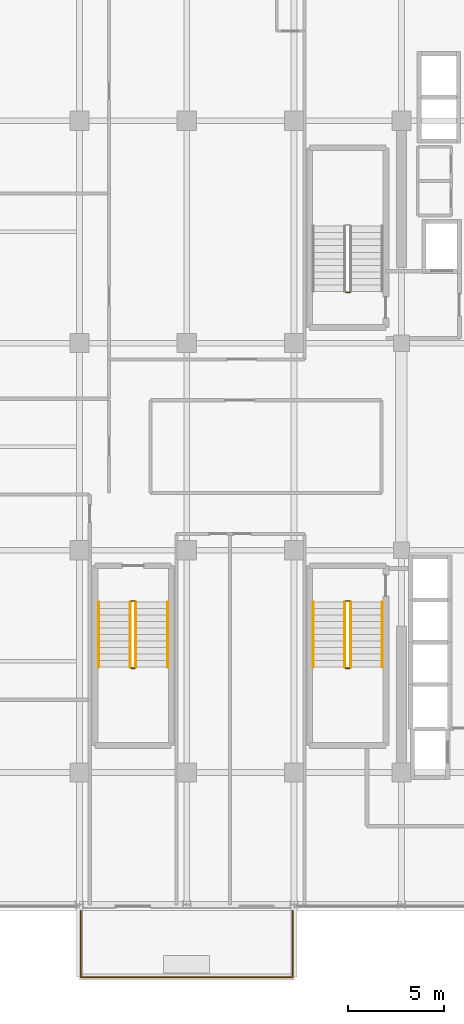
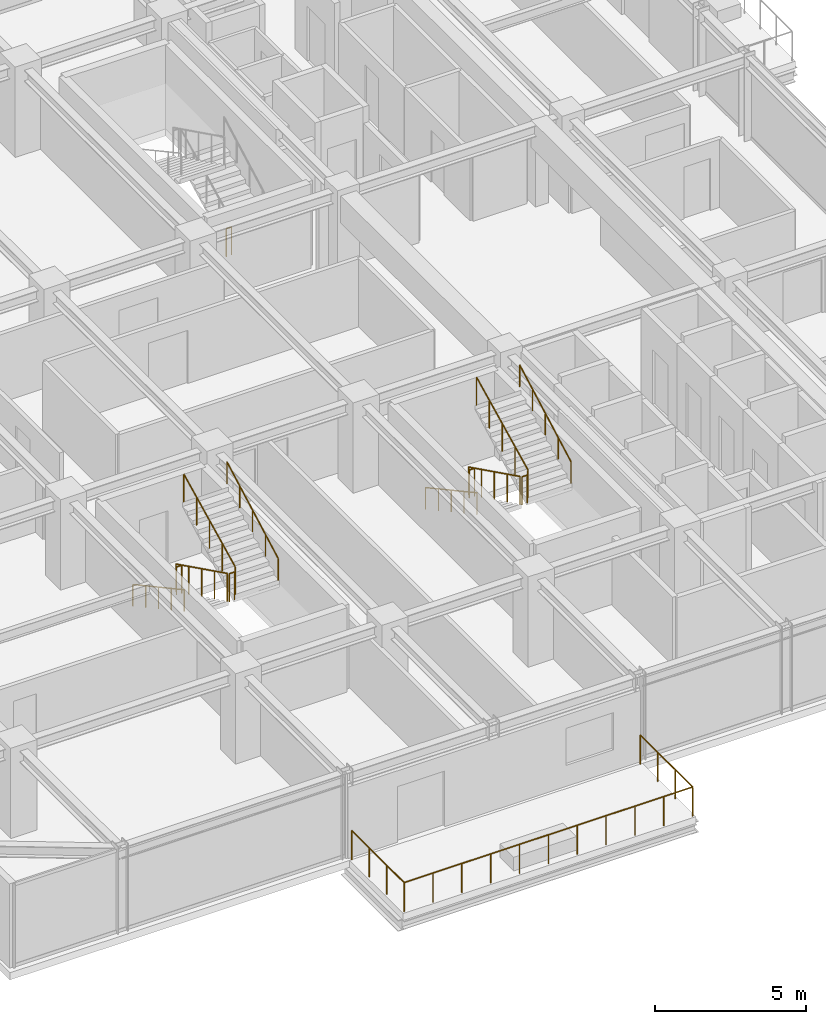
# One storey, part 34 of 36: 14 railings.
"""IFC4 building model written with IfcOpenShell, lengths in metres."""

import ifcopenshell
import ifcopenshell.guid

model = None  # the IFC model being written
_history = None  # IfcOwnerHistory: only IFC2X3 demands one
_inside = {}  # id of a spatial element -> (the spatial element, [elements in it])
_under = {}  # id of a project, library or spatial element -> (it, [spatial elements below it])
_declared = {}  # id of a project -> (the project, [libraries it declares])
_typed = {}  # id of a type object -> (the type object, [elements of that type])
_made_of = {}  # id of a material, layer set ... -> (it, [elements and type objects made of it])


def new_model(schema):
    """Start an empty IFC model of exactly this schema.

    Asked for "IFC4X3", IfcOpenShell would pick the latest addendum, in which some entities
    have other attributes; the version numbers below select the first issue.
    IFC2X3 requires an IfcOwnerHistory on every rooted entity: one is made here for all.
    """
    global model, _history
    if schema == "IFC4X3":
        model = ifcopenshell.file(schema_version=(4, 3, 0, 0))
    else:
        model = ifcopenshell.file(schema=schema)
    _inside.clear()
    _under.clear()
    _declared.clear()
    _typed.clear()
    _made_of.clear()
    _history = None
    if model.schema == "IFC2X3":
        org = make("IfcOrganization", Name="unknown")
        user = make(
            "IfcPersonAndOrganization",
            ThePerson=make("IfcPerson", FamilyName="unknown"),
            TheOrganization=org,
        )
        app = make(
            "IfcApplication",
            ApplicationDeveloper=org,
            Version="unknown",
            ApplicationFullName="unknown",
            ApplicationIdentifier="unknown",
        )
        _history = make(
            "IfcOwnerHistory",
            OwningUser=user,
            OwningApplication=app,
            ChangeAction="ADDED",
            CreationDate=0,
        )
    return model


def make(cls, **values):
    """One entity of the class cls with the attributes given. An attribute that is None is left unset."""
    return model.create_entity(
        cls, **{name: value for name, value in values.items() if value is not None}
    )


def rooted(cls, **values):
    """An entity with a GlobalId (a new one), such as an element, a storey or a relation."""
    return make(cls, GlobalId=ifcopenshell.guid.new(), OwnerHistory=_history, **values)


def si_unit(unit_type, name, prefix=None):
    """IfcSIUnit, for example si_unit("LENGTHUNIT", "METRE", prefix="MILLI")."""
    return make("IfcSIUnit", UnitType=unit_type, Prefix=prefix, Name=name)


def assignment(units):
    """IfcUnitAssignment: the units of a project."""
    return None if units is None else make("IfcUnitAssignment", Units=units)


def point(xyz):
    """IfcCartesianPoint."""
    return None if xyz is None else make("IfcCartesianPoint", Coordinates=xyz)


def direction(xyz):
    """IfcDirection."""
    return None if xyz is None else make("IfcDirection", DirectionRatios=xyz)


def frame(location, z_axis=None, x_axis=None):
    """IfcAxis2Placement3D, a coordinate frame: its origin and axes. An axis left out is left unset."""
    return make(
        "IfcAxis2Placement3D",
        Location=point(location),
        Axis=direction(z_axis),
        RefDirection=direction(x_axis),
    )


def frame_2d(location, x_axis=None):
    """IfcAxis2Placement2D, a coordinate frame in the plane: its origin and x axis."""
    return make(
        "IfcAxis2Placement2D", Location=point(location), RefDirection=direction(x_axis)
    )


def origin():
    """The frame at (0, 0, 0) with its axes left unset."""
    return frame((0.0, 0.0, 0.0))


def origin_2d():
    """The frame at (0, 0) in the plane with its x axis left unset."""
    return frame_2d((0.0, 0.0))


def place(relative_to, where):
    """IfcLocalPlacement: puts the frame where relative to a parent placement (None: the world)."""
    return make(
        "IfcLocalPlacement", PlacementRelTo=relative_to, RelativePlacement=where
    )


def context(
    kind, dimensions, precision=None, world=None, true_north=None, identifier=None
):
    """IfcGeometricRepresentationContext, for example the 3D "Model" context."""
    return make(
        "IfcGeometricRepresentationContext",
        ContextIdentifier=identifier,
        ContextType=kind,
        CoordinateSpaceDimension=dimensions,
        Precision=precision,
        WorldCoordinateSystem=world,
        TrueNorth=true_north,
    )


def subcontext(parent, identifier, kind, view, scale=None):
    """IfcGeometricRepresentationSubContext, for example "Body" below "Model"."""
    return make(
        "IfcGeometricRepresentationSubContext",
        ContextIdentifier=identifier,
        ContextType=kind,
        ParentContext=parent,
        TargetScale=scale,
        TargetView=view,
    )


def project(units=None, contexts=None):
    """IfcProject with its units and contexts."""
    return rooted(
        "IfcProject",
        Name="project",
        RepresentationContexts=contexts,
        UnitsInContext=assignment(units),
    )


def spatial(cls, under=None, at=None, **own):
    """A site, building, storey or space (cls), placed at a placement, below another one or the project."""
    s = rooted(cls, ObjectPlacement=at, **own)
    if under is not None:
        _under.setdefault(under.id(), (under, []))[1].append(s)
    return s


def profile(cls, at=None, kind="AREA", **sizes):
    """A parametric profile (cls). Its sizes go by their IFC names, for example OverallWidth=200.0."""
    return make(cls, ProfileType=kind, Position=at, **sizes)


def circle(**sizes):
    """IfcCircleProfileDef."""
    return profile("IfcCircleProfileDef", **sizes)


def extrude(swept, where, along, depth):
    """IfcExtrudedAreaSolid: the profile swept, set in the frame where, extruded along a direction by depth."""
    return make(
        "IfcExtrudedAreaSolid",
        SweptArea=swept,
        Position=where,
        ExtrudedDirection=direction(along),
        Depth=depth,
    )


def shape(context_of_items, identifier, shape_type, items):
    """IfcShapeRepresentation: the items that make up one representation, for example the "Body"."""
    return make(
        "IfcShapeRepresentation",
        ContextOfItems=context_of_items,
        RepresentationIdentifier=identifier,
        RepresentationType=shape_type,
        Items=items,
    )


def material(Name=None, Category=None):
    """IfcMaterial."""
    return make("IfcMaterial", Name=Name, Category=Category)


def made_of(thing, what):
    """Note that an element or type object is made of a material, layer set ...; save() writes the relation."""
    if what is not None:
        _made_of.setdefault(what.id(), (what, []))[1].append(thing)
    return thing


def type_object(cls, material=None, **own):
    """A type object (cls), such as IfcWallType, which elements share."""
    return made_of(rooted(cls, **own), material)


def element(
    cls,
    number,
    at=None,
    inside=None,
    cuts=None,
    type_object=None,
    material=None,
    context=None,
    identifier="Body",
    shape_type=None,
    held_by="IfcProductDefinitionShape",
    body=None,
    shapes=None,
    **own,
):
    """One element of the class cls, such as IfcWall. Its Tag is "e" and its number.

    at: its placement. inside: the storey or other place that contains it. cuts: it is an
    opening in that element (IfcRelVoidsElement). A single representation is given by context,
    identifier, shape_type and body (its items); several are given by shapes. held_by: the class
    of the entity that holds the representations. save() writes the other relations.
    """
    e = rooted(cls, Tag="e%d" % number, ObjectPlacement=at, **own)
    if body is not None:
        shapes = [shape(context, identifier, shape_type, body)]
    if shapes is not None:
        e.Representation = make(held_by, Representations=shapes)
    if inside is not None:
        _inside.setdefault(inside.id(), (inside, []))[1].append(e)
    if cuts is not None:
        rooted(
            "IfcRelVoidsElement", RelatingBuildingElement=cuts, RelatedOpeningElement=e
        )
    if type_object is not None:
        _typed.setdefault(type_object.id(), (type_object, []))[1].append(e)
    return made_of(e, material)


def aggregate(whole, parts):
    """IfcRelAggregates: a whole, such as a stair, and the parts it consists of."""
    return rooted("IfcRelAggregates", RelatingObject=whole, RelatedObjects=parts)


def save(model, path):
    """Write the relations noted so far, then the file.

    IfcRelAggregates (storeys below a building ...), IfcRelContainedInSpatialStructure (elements
    in a storey), IfcRelDefinesByType, IfcRelAssociatesMaterial and IfcRelDeclares: one each for
    every whole, place, type object, material and project.
    """
    for whole, parts in _under.values():
        aggregate(whole, parts)
    for where, things in _inside.values():
        rooted(
            "IfcRelContainedInSpatialStructure",
            RelatedElements=things,
            RelatingStructure=where,
        )
    for kind, things in _typed.values():
        rooted("IfcRelDefinesByType", RelatedObjects=things, RelatingType=kind)
    for what, things in _made_of.values():
        rooted("IfcRelAssociatesMaterial", RelatedObjects=things, RelatingMaterial=what)
    for by, libraries in _declared.values():
        rooted("IfcRelDeclares", RelatingContext=by, RelatedDefinitions=libraries)
    model.write(path)


model = new_model("IFC4")

# Units and contexts
model_context = context("Model", 3, precision=1e-05, world=origin(), true_north=direction((0.0, 1.0)))
body_context = subcontext(model_context, "Body", "Model", "MODEL_VIEW")
ifc_project = project(units=[si_unit("LENGTHUNIT", "METRE"), si_unit("AREAUNIT", "SQUARE_METRE"), si_unit("VOLUMEUNIT", "CUBIC_METRE"), si_unit("PLANEANGLEUNIT", "RADIAN"), si_unit("MASSUNIT", "GRAM", prefix="KILO")], contexts=[model_context])

# Site, building, storey
site_placement = place(None, origin())
site = spatial("IfcSite", under=ifc_project, at=site_placement, CompositionType="ELEMENT")
building_placement = place(site_placement, origin())
building = spatial("IfcBuilding", under=site, at=building_placement, Name="Nahalor Promenade Grand Hotel", CompositionType="ELEMENT")
storey_placement = place(building_placement, frame((0.0, 0.0, 253.0)))
storey = spatial("IfcBuildingStorey", under=building, at=storey_placement, Name="L65", CompositionType="ELEMENT", Elevation=253.0)

# Railings
ifc_material_1 = material(Name="Anodised Bronze Aluminium EN AW-6063 T6", Category="aluminium")
railing_type_1 = type_object("IfcRailingType", Name="Bronze Balcony Guardrail 1200 mm", PredefinedType="GUARDRAIL", material=ifc_material_1)
railing_1_placement = place(storey_placement, frame((-8.320068359375, -24.199951171875, 0.0)))
element("IfcRailing", 1, at=railing_1_placement, inside=storey, type_object=railing_type_1, Name="L65 Balcony Guardrail 1", PredefinedType="GUARDRAIL", context=body_context, shape_type="SweptSolid", body=[
    extrude(circle(Radius=0.024048, at=origin_2d()), frame((0.0, 0.0, 1.17578125), z_axis=(0.0, -1.0, 0.0), x_axis=(1.0, 0.0, 0.0)), (0.0, 0.0, 1.0), 3.468017578125),
    extrude(circle(Radius=0.024048, at=origin_2d()), frame((0.001953125, -3.469970703125, 1.17578125), z_axis=(1.0, 0.0, 0.0), x_axis=(0.0, 1.0, 0.0)), (0.0, 0.0, 1.0), 11.0361328125),
    extrude(circle(Radius=0.024048, at=origin_2d()), frame((11.0400390625, -3.468017578125, 1.17578125), z_axis=(0.0, 1.0, 0.0), x_axis=(-1.0, 0.0, 0.0)), (0.0, 0.0, 1.0), 3.468017578125),
    extrude(circle(Radius=0.020996, at=origin_2d()), origin(), (0.0, 0.0, 1.0), 1.14990234375),
    extrude(circle(Radius=0.020996, at=origin_2d()), frame((0.0, -1.15673828125, 0.0)), (0.0, 0.0, 1.0), 1.14990234375),
    extrude(circle(Radius=0.020996, at=origin_2d()), frame((0.0, -2.313232421875, 0.0)), (0.0, 0.0, 1.0), 1.14990234375),
    extrude(circle(Radius=0.020996, at=origin_2d()), frame((0.0, -3.469970703125, 0.0)), (0.0, 0.0, 1.0), 1.14990234375),
    extrude(circle(Radius=0.020996, at=origin_2d()), frame((1.10400390625, -3.469970703125, 0.0)), (0.0, 0.0, 1.0), 1.14990234375),
    extrude(circle(Radius=0.020996, at=origin_2d()), frame((2.2080078125, -3.469970703125, 0.0)), (0.0, 0.0, 1.0), 1.14990234375),
    extrude(circle(Radius=0.020996, at=origin_2d()), frame((3.31201171875, -3.469970703125, 0.0)), (0.0, 0.0, 1.0), 1.14990234375),
    extrude(circle(Radius=0.020996, at=origin_2d()), frame((4.416015625, -3.469970703125, 0.0)), (0.0, 0.0, 1.0), 1.14990234375),
    extrude(circle(Radius=0.020996, at=origin_2d()), frame((5.52001953125, -3.469970703125, 0.0)), (0.0, 0.0, 1.0), 1.14990234375),
    extrude(circle(Radius=0.020996, at=origin_2d()), frame((6.6240234375, -3.469970703125, 0.0)), (0.0, 0.0, 1.0), 1.14990234375),
    extrude(circle(Radius=0.020996, at=origin_2d()), frame((7.72802734375, -3.469970703125, 0.0)), (0.0, 0.0, 1.0), 1.14990234375),
    extrude(circle(Radius=0.020996, at=origin_2d()), frame((8.83203125, -3.469970703125, 0.0)), (0.0, 0.0, 1.0), 1.14990234375),
    extrude(circle(Radius=0.020996, at=origin_2d()), frame((9.93603515625, -3.469970703125, 0.0)), (0.0, 0.0, 1.0), 1.14990234375),
    extrude(circle(Radius=0.020996, at=origin_2d()), frame((11.0400390625, -3.469970703125, 0.0)), (0.0, 0.0, 1.0), 1.14990234375),
    extrude(circle(Radius=0.020996, at=origin_2d()), frame((11.0400390625, -2.313232421875, 0.0)), (0.0, 0.0, 1.0), 1.14990234375),
    extrude(circle(Radius=0.020996, at=origin_2d()), frame((11.0400390625, -1.15673828125, 0.0)), (0.0, 0.0, 1.0), 1.14990234375),
    extrude(circle(Radius=0.020996, at=origin_2d()), frame((11.0400390625, 0.0, 0.0)), (0.0, 0.0, 1.0), 1.14990234375),
])
ifc_material_2 = material(Name="Steel S355JR", Category="steel")
railing_type_2 = type_object("IfcRailingType", Name="Steel Stair Guardrail 1150 mm", PredefinedType="GUARDRAIL", material=ifc_material_2)
railing_2_placement = place(storey_placement, frame((5.699951171875, 8.050048828125, 0.0)))
element("IfcRailing", 2, at=railing_2_placement, inside=storey, type_object=railing_type_2, Name="L65 ST1 stair guard 4", PredefinedType="GUARDRAIL", context=body_context, shape_type="SweptSolid", body=[
    extrude(circle(Radius=0.024048, at=origin_2d()), frame((0.0, 0.0, 1.1259765625), z_axis=(-1.0, 0.0, 0.0), x_axis=(0.0, -1.0, 0.0)), (0.0, 0.0, 1.0), 0.199951171875),
    extrude(circle(Radius=0.020996, at=origin_2d()), origin(), (0.0, 0.0, 1.0), 1.099853515625),
    extrude(circle(Radius=0.020996, at=origin_2d()), frame((-0.199951171875, 0.0, 0.0)), (0.0, 0.0, 1.0), 1.099853515625),
])
railing_3_placement = place(storey_placement, frame((5.449951171875, -8.10009765625, 0.168212890625)))
element("IfcRailing", 3, at=railing_3_placement, inside=storey, type_object=railing_type_2, Name="L65 ST2 stair guard 1", PredefinedType="GUARDRAIL", context=body_context, shape_type="SweptSolid", body=[
    extrude(circle(Radius=0.024048, at=origin_2d()), frame((0.0, 0.0, 1.1259765625), z_axis=(0.0, -0.896324230515, 0.443399226197), x_axis=(1.0, 0.0, 0.0)), (0.0, 0.0, 1.0), 3.793212890625),
    extrude(circle(Radius=0.020996, at=origin_2d()), origin(), (0.0, 0.0, 1.0), 1.099853515625),
    extrude(circle(Radius=0.020996, at=origin_2d()), frame((0.0, -0.85009765625, 0.42041015625)), (0.0, 0.0, 1.0), 1.099853515625),
    extrude(circle(Radius=0.020996, at=origin_2d()), frame((0.0, -1.699951171875, 0.8408203125)), (0.0, 0.0, 1.0), 1.099853515625),
    extrude(circle(Radius=0.020996, at=origin_2d()), frame((0.0, -2.5498046875, 1.261474609375)), (0.0, 0.0, 1.0), 1.099853515625),
    extrude(circle(Radius=0.020996, at=origin_2d()), frame((0.0, -3.39990234375, 1.681884765625)), (0.0, 0.0, 1.0), 1.099853515625),
])
railing_4_placement = place(storey_placement, frame((5.5, -11.550048828125, 1.85009765625)))
element("IfcRailing", 4, at=railing_4_placement, inside=storey, type_object=railing_type_2, Name="L65 ST2 stair guard 2", PredefinedType="GUARDRAIL", context=body_context, shape_type="SweptSolid", body=[
    extrude(circle(Radius=0.024048, at=origin_2d()), frame((0.0, 0.0, 1.1259765625), z_axis=(1.0, 0.0, 0.0), x_axis=(0.0, 1.0, 0.0)), (0.0, 0.0, 1.0), 0.199951171875),
    extrude(circle(Radius=0.020996, at=origin_2d()), origin(), (0.0, 0.0, 1.0), 1.099853515625),
    extrude(circle(Radius=0.020996, at=origin_2d()), frame((0.199951171875, 0.0, 0.0)), (0.0, 0.0, 1.0), 1.099853515625),
])
railing_5_placement = place(storey_placement, frame((5.75, -11.5, 2.01806640625)))
element("IfcRailing", 5, at=railing_5_placement, inside=storey, type_object=railing_type_2, Name="L65 ST2 stair guard 3", PredefinedType="GUARDRAIL", context=body_context, shape_type="SweptSolid", body=[
    extrude(circle(Radius=0.024048, at=origin_2d()), frame((0.0, 0.0, 1.1259765625), z_axis=(0.0, 0.896324230515, 0.443399226197), x_axis=(-1.0, 0.0, 0.0)), (0.0, 0.0, 1.0), 3.793212890625),
    extrude(circle(Radius=0.020996, at=origin_2d()), origin(), (0.0, 0.0, 1.0), 1.099853515625),
    extrude(circle(Radius=0.020996, at=origin_2d()), frame((0.0, 0.85009765625, 0.42041015625)), (0.0, 0.0, 1.0), 1.099853515625),
    extrude(circle(Radius=0.020996, at=origin_2d()), frame((0.0, 1.699951171875, 0.8408203125)), (0.0, 0.0, 1.0), 1.099853515625),
    extrude(circle(Radius=0.020996, at=origin_2d()), frame((0.0, 2.5498046875, 1.261474609375)), (0.0, 0.0, 1.0), 1.099853515625),
    extrude(circle(Radius=0.020996, at=origin_2d()), frame((0.0, 3.39990234375, 1.681884765625)), (0.0, 0.0, 1.0), 1.099853515625),
])
railing_6_placement = place(storey_placement, frame((5.5, -8.050048828125, 0.0)))
element("IfcRailing", 6, at=railing_6_placement, inside=storey, type_object=railing_type_2, Name="L65 ST2 stair guard 4", PredefinedType="GUARDRAIL", context=body_context, shape_type="SweptSolid", body=[
    extrude(circle(Radius=0.024048, at=origin_2d()), frame((0.0, 0.0, 1.1259765625), z_axis=(1.0, 0.0, 0.0), x_axis=(0.0, 1.0, 0.0)), (0.0, 0.0, 1.0), 0.199951171875),
    extrude(circle(Radius=0.020996, at=origin_2d()), origin(), (0.0, 0.0, 1.0), 1.099853515625),
    extrude(circle(Radius=0.020996, at=origin_2d()), frame((0.199951171875, 0.0, 0.0)), (0.0, 0.0, 1.0), 1.099853515625),
])
railing_7_placement = place(storey_placement, frame((-5.75, -8.10009765625, 0.168212890625)))
element("IfcRailing", 7, at=railing_7_placement, inside=storey, type_object=railing_type_2, Name="L65 ST3 stair guard 1", PredefinedType="GUARDRAIL", context=body_context, shape_type="SweptSolid", body=[
    extrude(circle(Radius=0.024048, at=origin_2d()), frame((0.0, 0.0, 1.1259765625), z_axis=(0.0, -0.896324230515, 0.443399226197), x_axis=(1.0, 0.0, 0.0)), (0.0, 0.0, 1.0), 3.793212890625),
    extrude(circle(Radius=0.020996, at=origin_2d()), origin(), (0.0, 0.0, 1.0), 1.099853515625),
    extrude(circle(Radius=0.020996, at=origin_2d()), frame((0.0, -0.85009765625, 0.42041015625)), (0.0, 0.0, 1.0), 1.099853515625),
    extrude(circle(Radius=0.020996, at=origin_2d()), frame((0.0, -1.699951171875, 0.8408203125)), (0.0, 0.0, 1.0), 1.099853515625),
    extrude(circle(Radius=0.020996, at=origin_2d()), frame((0.0, -2.5498046875, 1.261474609375)), (0.0, 0.0, 1.0), 1.099853515625),
    extrude(circle(Radius=0.020996, at=origin_2d()), frame((0.0, -3.39990234375, 1.681884765625)), (0.0, 0.0, 1.0), 1.099853515625),
])
railing_8_placement = place(storey_placement, frame((-5.699951171875, -11.550048828125, 1.85009765625)))
element("IfcRailing", 8, at=railing_8_placement, inside=storey, type_object=railing_type_2, Name="L65 ST3 stair guard 2", PredefinedType="GUARDRAIL", context=body_context, shape_type="SweptSolid", body=[
    extrude(circle(Radius=0.024048, at=origin_2d()), frame((0.0, 0.0, 1.1259765625), z_axis=(1.0, 0.0, 0.0), x_axis=(0.0, 1.0, 0.0)), (0.0, 0.0, 1.0), 0.199951171875),
    extrude(circle(Radius=0.020996, at=origin_2d()), origin(), (0.0, 0.0, 1.0), 1.099853515625),
    extrude(circle(Radius=0.020996, at=origin_2d()), frame((0.199951171875, 0.0, 0.0)), (0.0, 0.0, 1.0), 1.099853515625),
])
railing_9_placement = place(storey_placement, frame((-5.449951171875, -11.5, 2.01806640625)))
element("IfcRailing", 9, at=railing_9_placement, inside=storey, type_object=railing_type_2, Name="L65 ST3 stair guard 3", PredefinedType="GUARDRAIL", context=body_context, shape_type="SweptSolid", body=[
    extrude(circle(Radius=0.024048, at=origin_2d()), frame((0.0, 0.0, 1.1259765625), z_axis=(0.0, 0.896324230515, 0.443399226197), x_axis=(-1.0, 0.0, 0.0)), (0.0, 0.0, 1.0), 3.793212890625),
    extrude(circle(Radius=0.020996, at=origin_2d()), origin(), (0.0, 0.0, 1.0), 1.099853515625),
    extrude(circle(Radius=0.020996, at=origin_2d()), frame((0.0, 0.85009765625, 0.42041015625)), (0.0, 0.0, 1.0), 1.099853515625),
    extrude(circle(Radius=0.020996, at=origin_2d()), frame((0.0, 1.699951171875, 0.8408203125)), (0.0, 0.0, 1.0), 1.099853515625),
    extrude(circle(Radius=0.020996, at=origin_2d()), frame((0.0, 2.5498046875, 1.261474609375)), (0.0, 0.0, 1.0), 1.099853515625),
    extrude(circle(Radius=0.020996, at=origin_2d()), frame((0.0, 3.39990234375, 1.681884765625)), (0.0, 0.0, 1.0), 1.099853515625),
])
railing_10_placement = place(storey_placement, frame((-5.699951171875, -8.050048828125, 0.0)))
element("IfcRailing", 10, at=railing_10_placement, inside=storey, type_object=railing_type_2, Name="L65 ST3 stair guard 4", PredefinedType="GUARDRAIL", context=body_context, shape_type="SweptSolid", body=[
    extrude(circle(Radius=0.024048, at=origin_2d()), frame((0.0, 0.0, 1.1259765625), z_axis=(1.0, 0.0, 0.0), x_axis=(0.0, 1.0, 0.0)), (0.0, 0.0, 1.0), 0.199951171875),
    extrude(circle(Radius=0.020996, at=origin_2d()), origin(), (0.0, 0.0, 1.0), 1.099853515625),
    extrude(circle(Radius=0.020996, at=origin_2d()), frame((0.199951171875, 0.0, 0.0)), (0.0, 0.0, 1.0), 1.099853515625),
])
railing_type_3 = type_object("IfcRailingType", Name="Steel Stair Handrail 900 mm", PredefinedType="HANDRAIL", material=ifc_material_2)
railing_11_placement = place(storey_placement, frame((3.800048828125, -8.10009765625, 0.168212890625)))
element("IfcRailing", 11, at=railing_11_placement, inside=storey, type_object=railing_type_3, Name="L65 ST2 stair handrail 1", PredefinedType="HANDRAIL", context=body_context, shape_type="SweptSolid", body=[
    extrude(circle(Radius=0.024048, at=origin_2d()), frame((0.0, 0.0, 0.8759765625), z_axis=(0.0, -0.878398892953, 0.47792822145), x_axis=(1.0, 0.0, 0.0)), (0.0, 0.0, 1.0), 3.87060546875),
    extrude(circle(Radius=0.020996, at=origin_2d()), origin(), (0.0, 0.0, 1.0), 0.849853515625),
    extrude(circle(Radius=0.020996, at=origin_2d()), frame((0.0, -0.85009765625, 0.46240234375)), (0.0, 0.0, 1.0), 0.849853515625),
    extrude(circle(Radius=0.020996, at=origin_2d()), frame((0.0, -1.699951171875, 0.9248046875)), (0.0, 0.0, 1.0), 0.849853515625),
    extrude(circle(Radius=0.020996, at=origin_2d()), frame((0.0, -2.5498046875, 1.387451171875)), (0.0, 0.0, 1.0), 0.849853515625),
    extrude(circle(Radius=0.020996, at=origin_2d()), frame((0.0, -3.39990234375, 1.849853515625)), (0.0, 0.0, 1.0), 0.849853515625),
])
railing_12_placement = place(storey_placement, frame((7.39990234375, -11.5, 2.01806640625)))
element("IfcRailing", 12, at=railing_12_placement, inside=storey, type_object=railing_type_3, Name="L65 ST2 stair handrail 2", PredefinedType="HANDRAIL", context=body_context, shape_type="SweptSolid", body=[
    extrude(circle(Radius=0.024048, at=origin_2d()), frame((0.0, 0.0, 0.8759765625), z_axis=(0.0, 0.87837241229, 0.47797688786), x_axis=(-1.0, 0.0, 0.0)), (0.0, 0.0, 1.0), 3.87060546875),
    extrude(circle(Radius=0.020996, at=origin_2d()), origin(), (0.0, 0.0, 1.0), 0.849853515625),
    extrude(circle(Radius=0.020996, at=origin_2d()), frame((0.0, 0.85009765625, 0.46240234375)), (0.0, 0.0, 1.0), 0.849853515625),
    extrude(circle(Radius=0.020996, at=origin_2d()), frame((0.0, 1.699951171875, 0.925048828125)), (0.0, 0.0, 1.0), 0.849853515625),
    extrude(circle(Radius=0.020996, at=origin_2d()), frame((0.0, 2.5498046875, 1.3876953125)), (0.0, 0.0, 1.0), 0.849853515625),
    extrude(circle(Radius=0.020996, at=origin_2d()), frame((0.0, 3.39990234375, 1.85009765625)), (0.0, 0.0, 1.0), 0.849853515625),
])
railing_13_placement = place(storey_placement, frame((-7.39990234375, -8.10009765625, 0.168212890625)))
element("IfcRailing", 13, at=railing_13_placement, inside=storey, type_object=railing_type_3, Name="L65 ST3 stair handrail 1", PredefinedType="HANDRAIL", context=body_context, shape_type="SweptSolid", body=[
    extrude(circle(Radius=0.024048, at=origin_2d()), frame((0.0, 0.0, 0.8759765625), z_axis=(0.0, -0.878398892953, 0.47792822145), x_axis=(1.0, 0.0, 0.0)), (0.0, 0.0, 1.0), 3.87060546875),
    extrude(circle(Radius=0.020996, at=origin_2d()), origin(), (0.0, 0.0, 1.0), 0.849853515625),
    extrude(circle(Radius=0.020996, at=origin_2d()), frame((0.0, -0.85009765625, 0.46240234375)), (0.0, 0.0, 1.0), 0.849853515625),
    extrude(circle(Radius=0.020996, at=origin_2d()), frame((0.0, -1.699951171875, 0.9248046875)), (0.0, 0.0, 1.0), 0.849853515625),
    extrude(circle(Radius=0.020996, at=origin_2d()), frame((0.0, -2.5498046875, 1.387451171875)), (0.0, 0.0, 1.0), 0.849853515625),
    extrude(circle(Radius=0.020996, at=origin_2d()), frame((0.0, -3.39990234375, 1.849853515625)), (0.0, 0.0, 1.0), 0.849853515625),
])
railing_14_placement = place(storey_placement, frame((-3.800048828125, -11.5, 2.01806640625)))
element("IfcRailing", 14, at=railing_14_placement, inside=storey, type_object=railing_type_3, Name="L65 ST3 stair handrail 2", PredefinedType="HANDRAIL", context=body_context, shape_type="SweptSolid", body=[
    extrude(circle(Radius=0.024048, at=origin_2d()), frame((0.0, 0.0, 0.8759765625), z_axis=(0.0, 0.87837241229, 0.47797688786), x_axis=(-1.0, 0.0, 0.0)), (0.0, 0.0, 1.0), 3.87060546875),
    extrude(circle(Radius=0.020996, at=origin_2d()), origin(), (0.0, 0.0, 1.0), 0.849853515625),
    extrude(circle(Radius=0.020996, at=origin_2d()), frame((0.0, 0.85009765625, 0.46240234375)), (0.0, 0.0, 1.0), 0.849853515625),
    extrude(circle(Radius=0.020996, at=origin_2d()), frame((0.0, 1.699951171875, 0.925048828125)), (0.0, 0.0, 1.0), 0.849853515625),
    extrude(circle(Radius=0.020996, at=origin_2d()), frame((0.0, 2.5498046875, 1.3876953125)), (0.0, 0.0, 1.0), 0.849853515625),
    extrude(circle(Radius=0.020996, at=origin_2d()), frame((0.0, 3.39990234375, 1.85009765625)), (0.0, 0.0, 1.0), 0.849853515625),
])

save(model, "model.ifc")
